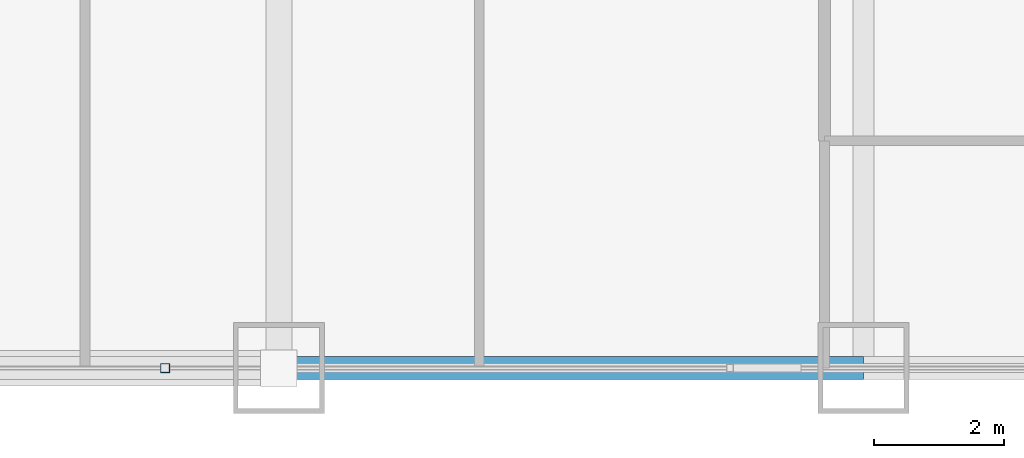
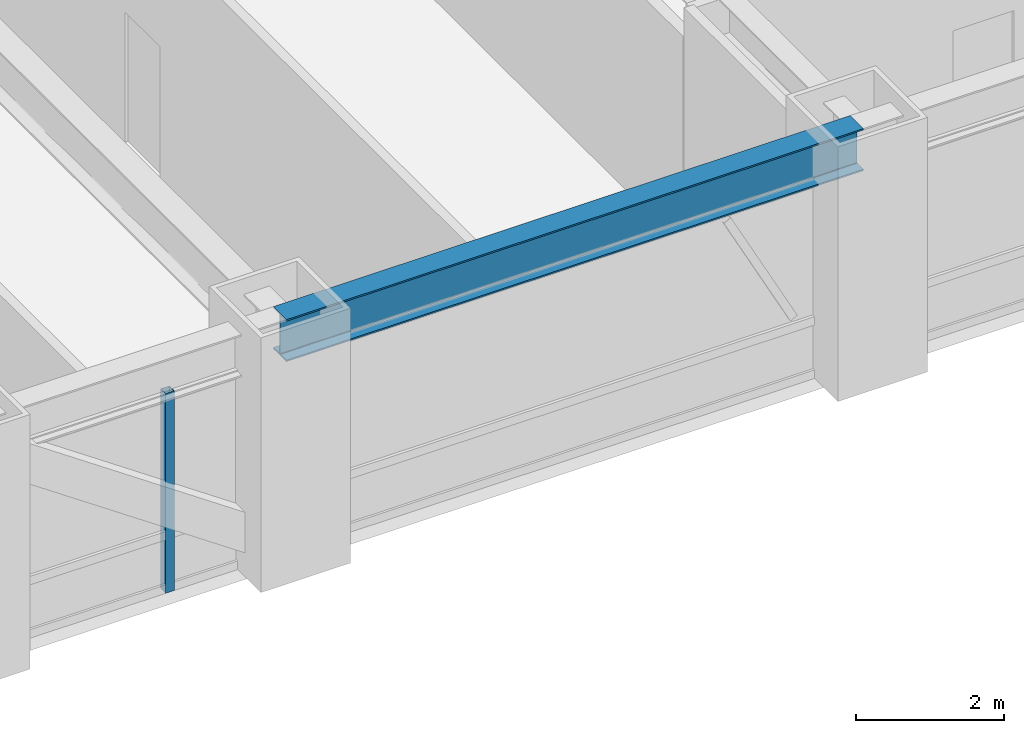
# One storey, part 8 of 27: 1 beam, 1 member, 1 element without a shape of its own.
"""IFC4 building model written with IfcOpenShell, lengths in metres."""

from ifc_helpers import new_model, si_unit, direction, frame, origin, origin_2d, place, context, subcontext, project, spatial, hollow_rectangle, i_section, extrude, source, transform, mapped, material, material_profile, profile_set, type_object, element, aggregate, save


model = new_model("IFC4")

# Units and contexts
model_context = context("Model", 3, precision=1e-05, world=origin(), true_north=direction((0.0, 1.0)))
body_context = subcontext(model_context, "Body", "Model", "MODEL_VIEW")
ifc_project = project(units=[si_unit("LENGTHUNIT", "METRE"), si_unit("AREAUNIT", "SQUARE_METRE"), si_unit("VOLUMEUNIT", "CUBIC_METRE"), si_unit("PLANEANGLEUNIT", "RADIAN"), si_unit("MASSUNIT", "GRAM", prefix="KILO")], contexts=[model_context])

# Site, building, storey
site_placement = place(None, origin())
site = spatial("IfcSite", under=ifc_project, at=site_placement, CompositionType="ELEMENT")
building_placement = place(site_placement, origin())
building = spatial("IfcBuilding", under=site, at=building_placement, Name="Khorayat Bourse Tower", CompositionType="ELEMENT")
storey_placement = place(building_placement, frame((0.0, 0.0, 45.199951171875)))
storey = spatial("IfcBuildingStorey", under=building, at=storey_placement, Name="L09", CompositionType="ELEMENT", Elevation=45.199951171875)

# Beam
ifc_material_1 = material(Name="Steel ASTM A992 Grade 50", Category="steel")
ifc_material_profile_1 = material_profile(ifc_material_1, i_section(OverallWidth=0.35498046875, OverallDepth=0.695068359375, WebThickness=0.015380859375, FlangeThickness=0.02490234375, FilletRadius=0.01806640625, at=origin_2d()), Name="W690X217")
ifc_profile_set_1 = profile_set([ifc_material_profile_1], Name="Steel ASTM A992 Grade 50")
beam_type = type_object("IfcBeamType", Name="BM-SPAN-690", PredefinedType="SPANDREL", material=ifc_profile_set_1)
shared_shape_1 = source(origin(), body_context, "Body", "SweptSolid", [
    extrude(i_section(OverallWidth=0.35498046875, OverallDepth=0.695068359375, WebThickness=0.015380859375, FlangeThickness=0.02490234375, FilletRadius=0.01806640625, at=origin_2d()), origin(), (0.0, 0.0, 1.0), 9.0),
])
beam_placement = place(storey_placement, frame((11.0, -32.0, 3.592529296875), z_axis=(1.0, 0.0, 0.0), x_axis=(0.0, 1.0, 0.0)))
element("IfcBeam", 1, at=beam_placement, inside=storey, type_object=beam_type, Name="L09 BM-SPAN-690 BM-L09-SPN-030", PredefinedType="SPANDREL", context=body_context, shape_type="MappedRepresentation", body=[
    mapped(shared_shape_1, transform((0.0, 0.0, 0.0), scale=1.0)),
])

# Curtain wall, member
ifc_material_2 = material(Name="Aluminium EN AW-6063 T6", Category="aluminium")
curtain_wall_type = type_object("IfcCurtainWallType", Name="CW-SYS-02", PredefinedType="NOTDEFINED", material=ifc_material_2)
curtain_wall_placement = place(storey_placement, origin())
curtain_wall = element("IfcCurtainWall", 2, at=curtain_wall_placement, inside=storey, type_object=curtain_wall_type, Name="L09 Curtain Wall CW-L09-S1", PredefinedType="NOTDEFINED")
ifc_material_profile_2 = material_profile(ifc_material_2, hollow_rectangle(XDim=0.139892578125, YDim=0.139892578125, WallThickness=0.006103515625, at=origin_2d()), Name="ALU 140x140x6")
ifc_profile_set_2 = profile_set([ifc_material_profile_2], Name="Aluminium EN AW-6063 T6")
member_type = type_object("IfcMemberType", Name="CWM-VERT-140", PredefinedType="MULLION", material=ifc_profile_set_2)
shared_shape_2 = source(origin(), body_context, "Body", "SweptSolid", [
    extrude(hollow_rectangle(XDim=0.139892578125, YDim=0.139892578125, WallThickness=0.006103515625, at=origin_2d()), origin(), (0.0, 0.0, 1.0), 3.2900390625),
])
member_placement = place(storey_placement, frame((9.25, -32.0, 0.0), z_axis=(0.0, 0.0, 1.0), x_axis=(0.0, 1.0, 0.0)))
member = element("IfcMember", 3, at=member_placement, type_object=member_type, Name="CW-L09-S1 Vertical Mullion 3", PredefinedType="MULLION", context=body_context, shape_type="MappedRepresentation", body=[
    mapped(shared_shape_2, transform((0.0, 0.0, 0.0), scale=1.0)),
])
aggregate(curtain_wall, [member])

save(model, "model.ifc")
